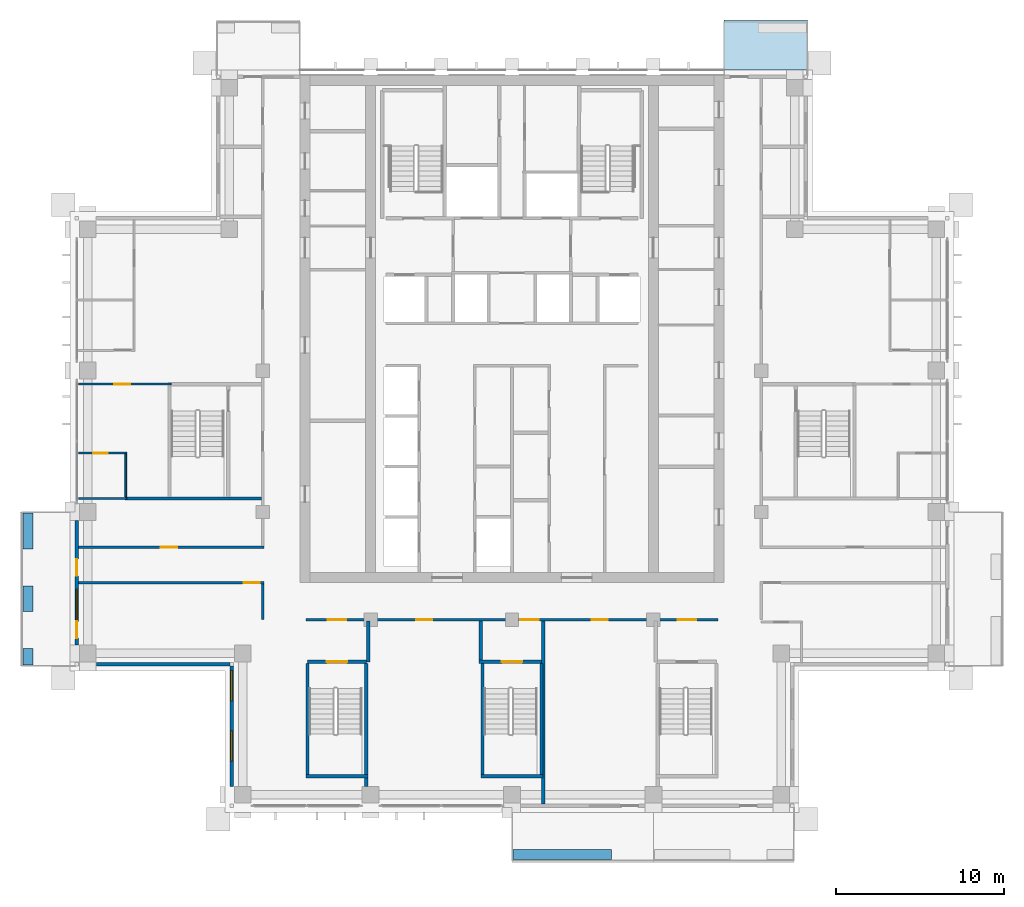
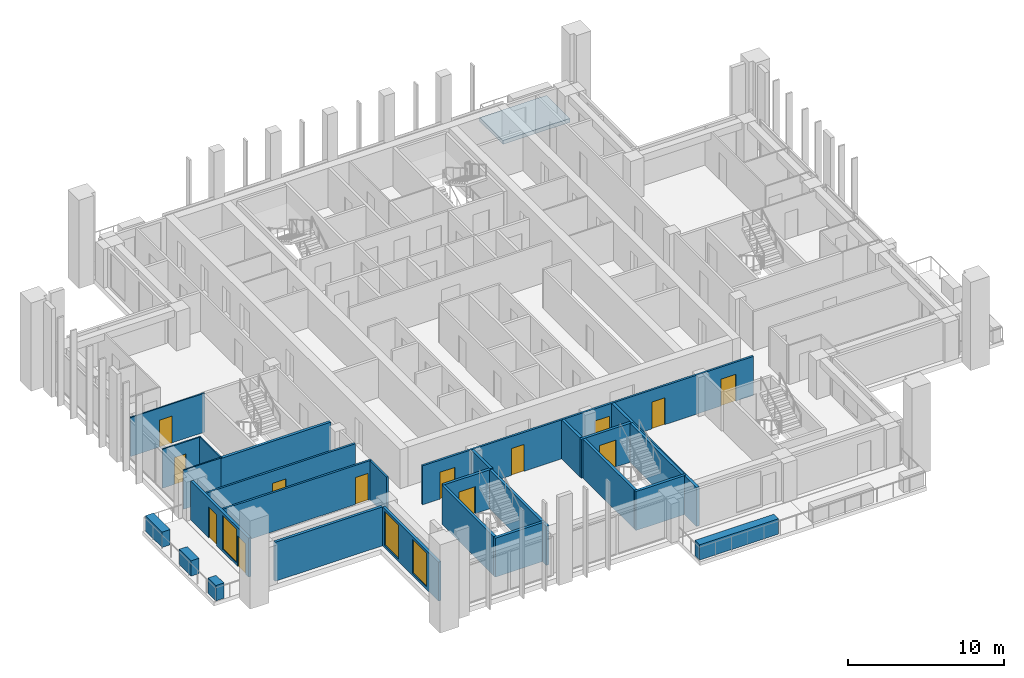
# One storey, part 8 of 18: 27 walls, 13 doors, 3 windows, 1 slab, 16 openings.
"""IFC4 building model written with IfcOpenShell, lengths in metres."""

from ifc_helpers import new_model, si_unit, direction, frame, frame_2d, origin, place, context, subcontext, project, spatial, polyline, rectangle, outline, extrude, material, layer, layer_set, type_object, element, fill, save


model = new_model("IFC4")

# Units and contexts
model_context = context("Model", 3, precision=1e-05, world=origin(), true_north=direction((0.0, 1.0)))
body_context = subcontext(model_context, "Body", "Model", "MODEL_VIEW")
ifc_project = project(units=[si_unit("LENGTHUNIT", "METRE"), si_unit("AREAUNIT", "SQUARE_METRE"), si_unit("VOLUMEUNIT", "CUBIC_METRE"), si_unit("PLANEANGLEUNIT", "RADIAN"), si_unit("MASSUNIT", "GRAM", prefix="KILO")], contexts=[model_context])

# Site, building, storey
site_placement = place(None, origin())
site = spatial("IfcSite", under=ifc_project, at=site_placement, CompositionType="ELEMENT")
building_placement = place(site_placement, origin())
building = spatial("IfcBuilding", under=site, at=building_placement, Name="Vermilion Ogive Tower", CompositionType="ELEMENT")
storey_placement = place(building_placement, frame((0.0, 0.0, 185.89990234375)))
storey = spatial("IfcBuildingStorey", under=building, at=storey_placement, Name="L48", CompositionType="ELEMENT", Elevation=185.89990234375)

# Slab
ifc_material_1 = material(Name="Concrete B40", Category="concrete")
ifc_layer_1 = layer(ifc_material_1, 0.300048828125)
ifc_layer_set_1 = layer_set([ifc_layer_1], Name="Balcony slab")
slab_type = type_object("IfcSlabType", Name="Balcony slab", PredefinedType="FLOOR", material=ifc_layer_set_1)
slab_placement = place(storey_placement, frame((0.0, 0.0, -0.33984375)))
element("IfcSlab", 1, at=slab_placement, inside=storey, type_object=slab_type, Name="Balcony slab N101", PredefinedType="FLOOR", context=body_context, shape_type="SweptSolid", body=[
    extrude(outline(polyline([(17.550048828125, 25.030029296875), (12.60009765625, 25.030029296875), (12.60009765625, 22.050048828125), (17.550048828125, 22.050048828125), (17.550048828125, 25.030029296875)])), origin(), (0.0, 0.0, 1.0), 0.300048828125),
])

# Wall
ifc_material_2 = material(Name="Gypsum board partition on steel studs", Category="steel")
ifc_layer_2 = layer(ifc_material_2, 0.10009765625)
ifc_layer_set_2 = layer_set([ifc_layer_2], Name="Partition 100 bath")
wall_type_1 = type_object("IfcWallType", Name="Partition 100 bath", PredefinedType="PARTITIONING", material=ifc_layer_set_2)
wall_1_placement = place(storey_placement, frame((-25.75, -3.39990234375, 0.0), z_axis=(0.0, 0.0, 1.0), x_axis=(1.0, 0.0, 0.0)))
element("IfcWall", 2, at=wall_1_placement, inside=storey, type_object=wall_type_1, Name="L48-W-W011", PredefinedType="PARTITIONING", context=body_context, shape_type="SweptSolid", body=[
    extrude(rectangle(XDim=2.85009765625, YDim=0.10009765625, at=frame_2d((1.425048828125, 0.0))), origin(), (0.0, 0.0, 1.0), 3.050048828125),
])

# Wall, opening, door
wall_2_placement = place(storey_placement, frame((-25.75, -0.699951171875, 0.0), z_axis=(0.0, 0.0, 1.0), x_axis=(1.0, 0.0, 0.0)))
wall_2 = element("IfcWall", 3, at=wall_2_placement, inside=storey, type_object=wall_type_1, Name="L48-W-W015", PredefinedType="PARTITIONING", context=body_context, shape_type="SweptSolid", body=[
    extrude(rectangle(XDim=2.85009765625, YDim=0.10009765625, at=frame_2d((1.425048828125, 0.0))), origin(), (0.0, 0.0, 1.0), 3.050048828125),
])
opening_1_placement = place(wall_2_placement, frame((0.875, 0.0, 0.0)))
opening_1 = element("IfcOpeningElement", 4, at=opening_1_placement, cuts=wall_2, Name="Opening D4G2006", PredefinedType="OPENING", context=body_context, shape_type="SweptSolid", body=[
    extrude(rectangle(XDim=0.85009765625, YDim=2.10009765625, at=frame_2d((0.425048828125, 1.050048828125))), frame((0.0, 0.06005859375, 0.0), z_axis=(0.0, -1.0, 0.0), x_axis=(1.0, 0.0, 0.0)), (0.0, 0.0, 1.0), 0.1201171875),
])
ifc_material_3 = material(Name="Timber door leaf", Category="wood")
door_type_1 = type_object("IfcDoorType", Name="Bath door 850 x 2100 FD30", OperationType="SINGLE_SWING_LEFT", PredefinedType="DOOR", material=ifc_material_3)
door_1_placement = place(opening_1_placement, origin())
door_1 = element("IfcDoor", 5, at=door_1_placement, inside=storey, type_object=door_type_1, Name="L48-D-D006", OperationType="SINGLE_SWING_RIGHT", OverallHeight=2.10009765625, OverallWidth=0.85009765625, PredefinedType="DOOR", context=body_context, shape_type="SweptSolid", body=[
    extrude(rectangle(XDim=0.85009765625, YDim=2.10009765625, at=frame_2d((0.425048828125, 1.050048828125))), frame((0.0, 0.02490234375, 0.0), z_axis=(0.0, -1.0, 0.0), x_axis=(1.0, 0.0, 0.0)), (0.0, 0.0, 1.0), 0.050048828125),
])
fill(opening_1, door_1)

# Wall
wall_3_placement = place(storey_placement, frame((-22.949951171875, -3.300048828125, 0.0), z_axis=(0.0, 0.0, 1.0), x_axis=(0.0, 1.0, 0.0)))
element("IfcWall", 6, at=wall_3_placement, inside=storey, type_object=wall_type_1, Name="L48-W-W029", PredefinedType="PARTITIONING", context=body_context, shape_type="SweptSolid", body=[
    extrude(rectangle(XDim=2.550048828125, YDim=0.10009765625, at=frame_2d((1.27490234375, 0.0))), origin(), (0.0, 0.0, 1.0), 3.050048828125),
])

# Wall, opening, door
ifc_material_4 = material(Name="Gypsum board partition on steel studs", Category="steel")
ifc_layer_3 = layer(ifc_material_4, 0.10009765625)
ifc_layer_set_3 = layer_set([ifc_layer_3], Name="Partition 100 inner")
wall_type_2 = type_object("IfcWallType", Name="Partition 100 inner", PredefinedType="PARTITIONING", material=ifc_layer_set_3)
wall_4_placement = place(storey_placement, frame((-25.75, 3.39990234375, 0.0), z_axis=(0.0, 0.0, 1.0), x_axis=(1.0, 0.0, 0.0)))
wall_4 = element("IfcWall", 7, at=wall_4_placement, inside=storey, type_object=wall_type_2, Name="L48-W-W017", PredefinedType="PARTITIONING", context=body_context, shape_type="SweptSolid", body=[
    extrude(rectangle(XDim=5.5, YDim=0.10009765625, at=frame_2d((2.75, 0.0))), origin(), (0.0, 0.0, 1.0), 3.050048828125),
])
opening_2_placement = place(wall_4_placement, frame((2.125, 0.0, 0.0)))
opening_2 = element("IfcOpeningElement", 8, at=opening_2_placement, cuts=wall_4, Name="Opening D4G2005", PredefinedType="OPENING", context=body_context, shape_type="SweptSolid", body=[
    extrude(rectangle(XDim=0.949951171875, YDim=2.10009765625, at=frame_2d((0.47509765625, 1.050048828125))), frame((0.0, 0.06005859375, 0.0), z_axis=(0.0, -1.0, 0.0), x_axis=(1.0, 0.0, 0.0)), (0.0, 0.0, 1.0), 0.1201171875),
])
ifc_material_5 = material(Name="Timber door leaf", Category="wood")
door_type_2 = type_object("IfcDoorType", Name="Inner door 950 x 2100 FD30", OperationType="SINGLE_SWING_LEFT", PredefinedType="DOOR", material=ifc_material_5)
door_2_placement = place(opening_2_placement, origin())
door_2 = element("IfcDoor", 9, at=door_2_placement, inside=storey, type_object=door_type_2, Name="L48-D-D005", OperationType="SINGLE_SWING_LEFT", OverallHeight=2.10009765625, OverallWidth=0.949951171875, PredefinedType="DOOR", context=body_context, shape_type="SweptSolid", body=[
    extrude(rectangle(XDim=0.949951171875, YDim=2.10009765625, at=frame_2d((0.47509765625, 1.050048828125))), frame((0.0, 0.02490234375, 0.0), z_axis=(0.0, -1.0, 0.0), x_axis=(1.0, 0.0, 0.0)), (0.0, 0.0, 1.0), 0.050048828125),
])
fill(opening_2, door_2)

# Wall, openings, doors
ifc_material_6 = material(Name="Gypsum board partition on steel studs", Category="steel")
ifc_layer_4 = layer(ifc_material_6, 0.14990234375)
ifc_layer_set_4 = layer_set([ifc_layer_4], Name="Partition 150 corridor")
wall_type_3 = type_object("IfcWallType", Name="Partition 150 corridor", PredefinedType="PARTITIONING", material=ifc_layer_set_4)
wall_5_placement = place(storey_placement, frame((-12.25, -10.60009765625, 0.0), z_axis=(0.0, 0.0, 1.0), x_axis=(1.0, 0.0, 0.0)))
wall_5 = element("IfcWall", 10, at=wall_5_placement, inside=storey, type_object=wall_type_3, Name="L48-W-W006", PredefinedType="PARTITIONING", context=body_context, shape_type="SweptSolid", body=[
    extrude(rectangle(XDim=24.5, YDim=0.14990234375, at=frame_2d((12.25, 0.0))), origin(), (0.0, 0.0, 1.0), 3.050048828125),
])
opening_3_placement = place(wall_5_placement, frame((6.574951171875, 0.0, 0.0)))
opening_3 = element("IfcOpeningElement", 11, at=opening_3_placement, cuts=wall_5, Name="Opening D4G2009", PredefinedType="OPENING", context=body_context, shape_type="SweptSolid", body=[
    extrude(rectangle(XDim=0.949951171875, YDim=2.10009765625, at=frame_2d((0.47509765625, 1.050048828125))), frame((0.0, 0.0849609375, 0.0), z_axis=(0.0, -1.0, 0.0), x_axis=(1.0, 0.0, 0.0)), (0.0, 0.0, 1.0), 0.169921875),
])
opening_4_placement = place(wall_5_placement, frame((16.97509765625, 0.0, 0.0)))
opening_4 = element("IfcOpeningElement", 12, at=opening_4_placement, cuts=wall_5, Name="Opening D4G2010", PredefinedType="OPENING", context=body_context, shape_type="SweptSolid", body=[
    extrude(rectangle(XDim=0.949951171875, YDim=2.10009765625, at=frame_2d((0.47509765625, 1.050048828125))), frame((0.0, 0.0849609375, 0.0), z_axis=(0.0, -1.0, 0.0), x_axis=(1.0, 0.0, 0.0)), (0.0, 0.0, 1.0), 0.169921875),
])
opening_5_placement = place(wall_5_placement, frame((1.300048828125, 0.0, 0.0)))
opening_5 = element("IfcOpeningElement", 13, at=opening_5_placement, cuts=wall_5, Name="Opening D4G2020", PredefinedType="OPENING", context=body_context, shape_type="SweptSolid", body=[
    extrude(rectangle(XDim=1.10009765625, YDim=2.10009765625, at=frame_2d((0.550048828125, 1.050048828125))), frame((0.0, 0.0849609375, 0.0), z_axis=(0.0, -1.0, 0.0), x_axis=(1.0, 0.0, 0.0)), (0.0, 0.0, 1.0), 0.169921875),
])
opening_6_placement = place(wall_5_placement, frame((12.75, 0.0, 0.0)))
opening_6 = element("IfcOpeningElement", 14, at=opening_6_placement, cuts=wall_5, Name="Opening D4G2022", PredefinedType="OPENING", context=body_context, shape_type="SweptSolid", body=[
    extrude(rectangle(XDim=1.10009765625, YDim=2.10009765625, at=frame_2d((0.550048828125, 1.050048828125))), frame((0.0, 0.0849609375, 0.0), z_axis=(0.0, -1.0, 0.0), x_axis=(1.0, 0.0, 0.0)), (0.0, 0.0, 1.0), 0.169921875),
])
opening_7_placement = place(wall_5_placement, frame((22.10009765625, 0.0, 0.0)))
opening_7 = element("IfcOpeningElement", 15, at=opening_7_placement, cuts=wall_5, Name="Opening D4G2024", PredefinedType="OPENING", context=body_context, shape_type="SweptSolid", body=[
    extrude(rectangle(XDim=1.10009765625, YDim=2.10009765625, at=frame_2d((0.550048828125, 1.050048828125))), frame((0.0, 0.0849609375, 0.0), z_axis=(0.0, -1.0, 0.0), x_axis=(1.0, 0.0, 0.0)), (0.0, 0.0, 1.0), 0.169921875),
])
ifc_material_7 = material(Name="Timber door leaf", Category="wood")
door_type_3 = type_object("IfcDoorType", Name="Stair door 1100 x 2100 FD60S", OperationType="SINGLE_SWING_LEFT", PredefinedType="DOOR", material=ifc_material_7)
door_3_placement = place(opening_5_placement, origin())
door_3 = element("IfcDoor", 16, at=door_3_placement, inside=storey, type_object=door_type_3, Name="L48-D-D020", OperationType="SINGLE_SWING_RIGHT", OverallHeight=2.10009765625, OverallWidth=1.10009765625, PredefinedType="DOOR", context=body_context, shape_type="SweptSolid", body=[
    extrude(rectangle(XDim=1.10009765625, YDim=2.10009765625, at=frame_2d((0.550048828125, 1.050048828125))), frame((0.0, 0.02490234375, 0.0), z_axis=(0.0, -1.0, 0.0), x_axis=(1.0, 0.0, 0.0)), (0.0, 0.0, 1.0), 0.050048828125),
])
fill(opening_5, door_3)
door_4_placement = place(opening_6_placement, origin())
door_4 = element("IfcDoor", 17, at=door_4_placement, inside=storey, type_object=door_type_3, Name="L48-D-D022", OperationType="SINGLE_SWING_LEFT", OverallHeight=2.10009765625, OverallWidth=1.10009765625, PredefinedType="DOOR", context=body_context, shape_type="SweptSolid", body=[
    extrude(rectangle(XDim=1.10009765625, YDim=2.10009765625, at=frame_2d((0.550048828125, 1.050048828125))), frame((0.0, 0.02490234375, 0.0), z_axis=(0.0, -1.0, 0.0), x_axis=(1.0, 0.0, 0.0)), (0.0, 0.0, 1.0), 0.050048828125),
])
fill(opening_6, door_4)
door_5_placement = place(opening_7_placement, origin())
door_5 = element("IfcDoor", 18, at=door_5_placement, inside=storey, type_object=door_type_3, Name="L48-D-D024", OperationType="SINGLE_SWING_LEFT", OverallHeight=2.10009765625, OverallWidth=1.10009765625, PredefinedType="DOOR", context=body_context, shape_type="SweptSolid", body=[
    extrude(rectangle(XDim=1.10009765625, YDim=2.10009765625, at=frame_2d((0.550048828125, 1.050048828125))), frame((0.0, 0.02490234375, 0.0), z_axis=(0.0, -1.0, 0.0), x_axis=(1.0, 0.0, 0.0)), (0.0, 0.0, 1.0), 0.050048828125),
])
fill(opening_7, door_5)
ifc_material_8 = material(Name="Timber door leaf", Category="wood")
door_type_4 = type_object("IfcDoorType", Name="Unit door 950 x 2100 FD30S", OperationType="SINGLE_SWING_LEFT", PredefinedType="DOOR", material=ifc_material_8)
door_6_placement = place(opening_3_placement, origin())
door_6 = element("IfcDoor", 19, at=door_6_placement, inside=storey, type_object=door_type_4, Name="L48-D-D009", OperationType="SINGLE_SWING_RIGHT", OverallHeight=2.10009765625, OverallWidth=0.949951171875, PredefinedType="DOOR", context=body_context, shape_type="SweptSolid", body=[
    extrude(rectangle(XDim=0.949951171875, YDim=2.10009765625, at=frame_2d((0.47509765625, 1.050048828125))), frame((0.0, 0.02490234375, 0.0), z_axis=(0.0, -1.0, 0.0), x_axis=(1.0, 0.0, 0.0)), (0.0, 0.0, 1.0), 0.050048828125),
])
fill(opening_3, door_6)
door_7_placement = place(opening_4_placement, origin())
door_7 = element("IfcDoor", 20, at=door_7_placement, inside=storey, type_object=door_type_4, Name="L48-D-D010", OperationType="SINGLE_SWING_RIGHT", OverallHeight=2.10009765625, OverallWidth=0.949951171875, PredefinedType="DOOR", context=body_context, shape_type="SweptSolid", body=[
    extrude(rectangle(XDim=0.949951171875, YDim=2.10009765625, at=frame_2d((0.47509765625, 1.050048828125))), frame((0.0, 0.02490234375, 0.0), z_axis=(0.0, -1.0, 0.0), x_axis=(1.0, 0.0, 0.0)), (0.0, 0.0, 1.0), 0.050048828125),
])
fill(opening_4, door_7)

# Wall, opening, door
wall_6_placement = place(storey_placement, frame((-25.75, -8.39990234375, 0.0), z_axis=(0.0, 0.0, 1.0), x_axis=(1.0, 0.0, 0.0)))
wall_6 = element("IfcWall", 21, at=wall_6_placement, inside=storey, type_object=wall_type_3, Name="L48-W-W007", PredefinedType="PARTITIONING", context=body_context, shape_type="SweptSolid", body=[
    extrude(rectangle(XDim=11.02490234375, YDim=0.14990234375, at=frame_2d((5.512451171875, 0.0))), origin(), (0.0, 0.0, 1.0), 3.050048828125),
])
opening_8_placement = place(wall_6_placement, frame((9.800048828125, 0.0, 0.0)))
opening_8 = element("IfcOpeningElement", 22, at=opening_8_placement, cuts=wall_6, Name="Opening D4G2001", PredefinedType="OPENING", context=body_context, shape_type="SweptSolid", body=[
    extrude(rectangle(XDim=0.949951171875, YDim=2.10009765625, at=frame_2d((0.47509765625, 1.050048828125))), frame((0.0, 0.0849609375, 0.0), z_axis=(0.0, -1.0, 0.0), x_axis=(1.0, 0.0, 0.0)), (0.0, 0.0, 1.0), 0.169921875),
])
door_8_placement = place(opening_8_placement, origin())
door_8 = element("IfcDoor", 23, at=door_8_placement, inside=storey, type_object=door_type_4, Name="L48-D-D001", OperationType="SINGLE_SWING_RIGHT", OverallHeight=2.10009765625, OverallWidth=0.949951171875, PredefinedType="DOOR", context=body_context, shape_type="SweptSolid", body=[
    extrude(rectangle(XDim=0.949951171875, YDim=2.10009765625, at=frame_2d((0.47509765625, 1.050048828125))), frame((0.0, 0.02490234375, 0.0), z_axis=(0.0, -1.0, 0.0), x_axis=(1.0, 0.0, 0.0)), (0.0, 0.0, 1.0), 0.050048828125),
])
fill(opening_8, door_8)

wall_7_placement = place(storey_placement, frame((-25.75, -6.300048828125, 0.0), z_axis=(0.0, 0.0, 1.0), x_axis=(1.0, 0.0, 0.0)))
wall_7 = element("IfcWall", 24, at=wall_7_placement, inside=storey, type_object=wall_type_3, Name="L48-W-W009", PredefinedType="PARTITIONING", context=body_context, shape_type="SweptSolid", body=[
    extrude(rectangle(XDim=11.02490234375, YDim=0.14990234375, at=frame_2d((5.512451171875, 0.0))), origin(), (0.0, 0.0, 1.0), 3.050048828125),
])
opening_9_placement = place(wall_7_placement, frame((4.875, 0.0, 0.0)))
opening_9 = element("IfcOpeningElement", 25, at=opening_9_placement, cuts=wall_7, Name="Opening D4G2030", PredefinedType="OPENING", context=body_context, shape_type="SweptSolid", body=[
    extrude(rectangle(XDim=1.0, YDim=2.10009765625, at=frame_2d((0.5, 1.050048828125))), frame((0.0, 0.0849609375, 0.0), z_axis=(0.0, -1.0, 0.0), x_axis=(1.0, 0.0, 0.0)), (0.0, 0.0, 1.0), 0.169921875),
])
ifc_material_9 = material(Name="Timber door leaf", Category="wood")
door_type_5 = type_object("IfcDoorType", Name="Unit door 1000 x 2100 FD30S", OperationType="SINGLE_SWING_LEFT", PredefinedType="DOOR", material=ifc_material_9)
door_9_placement = place(opening_9_placement, origin())
door_9 = element("IfcDoor", 26, at=door_9_placement, inside=storey, type_object=door_type_5, Name="L48-D-D030", OperationType="SINGLE_SWING_RIGHT", OverallHeight=2.10009765625, OverallWidth=1.0, PredefinedType="DOOR", context=body_context, shape_type="SweptSolid", body=[
    extrude(rectangle(XDim=1.0, YDim=2.10009765625, at=frame_2d((0.5, 1.050048828125))), frame((0.0, 0.02490234375, 0.0), z_axis=(0.0, -1.0, 0.0), x_axis=(1.0, 0.0, 0.0)), (0.0, 0.0, 1.0), 0.050048828125),
])
fill(opening_9, door_9)

# Walls
wall_8_placement = place(storey_placement, frame((-14.800048828125, -10.60009765625, 0.0), z_axis=(0.0, 0.0, 1.0), x_axis=(0.0, 1.0, 0.0)))
element("IfcWall", 27, at=wall_8_placement, inside=storey, type_object=wall_type_3, Name="L48-W-W033", PredefinedType="PARTITIONING", context=body_context, shape_type="SweptSolid", body=[
    extrude(rectangle(XDim=2.125, YDim=0.14990234375, at=frame_2d((1.0625, 0.0))), origin(), (0.0, 0.0, 1.0), 3.050048828125),
])
ifc_material_10 = material(Name="Gypsum board partition on steel studs", Category="steel")
ifc_layer_5 = layer(ifc_material_10, 0.199951171875)
ifc_layer_set_5 = layer_set([ifc_layer_5], Name="Partition 200 party")
wall_type_4 = type_object("IfcWallType", Name="Partition 200 party", PredefinedType="PARTITIONING", material=ifc_layer_set_5)
wall_9_placement = place(storey_placement, frame((-8.550048828125, -13.10009765625, 0.0), z_axis=(0.0, 0.0, 1.0), x_axis=(0.0, 1.0, 0.0)))
element("IfcWall", 28, at=wall_9_placement, inside=storey, type_object=wall_type_4, Name="L48-W-W035", PredefinedType="PARTITIONING", context=body_context, shape_type="SweptSolid", body=[
    extrude(rectangle(XDim=2.425048828125, YDim=0.199951171875, at=frame_2d((1.21240234375, 0.0))), origin(), (0.0, 0.0, 1.0), 3.050048828125),
])
wall_10_placement = place(storey_placement, frame((-1.85009765625, -12.998046875, 0.0), z_axis=(0.0, 0.0, 1.0), x_axis=(0.0, 1.0, 0.0)))
element("IfcWall", 29, at=wall_10_placement, inside=storey, type_object=wall_type_4, Name="L48-W-W036", PredefinedType="PARTITIONING", context=body_context, shape_type="SweptSolid", body=[
    extrude(rectangle(XDim=2.322998046875, YDim=0.199951171875, at=frame_2d((1.16162109375, 0.0))), origin(), (0.0, 0.0, 1.0), 3.050048828125),
])
ifc_material_11 = material(Name="Concrete B60", Category="concrete")
ifc_layer_6 = layer(ifc_material_11, 0.199951171875)
ifc_layer_set_6 = layer_set([ifc_layer_6], Name="Stair shaft wall 200 Concrete B60")
wall_type_5 = type_object("IfcWallType", Name="Stair shaft wall 200 Concrete B60", PredefinedType="SOLIDWALL", material=ifc_layer_set_6)
wall_11_placement = place(storey_placement, frame((-1.847900390625, -19.89990234375, 0.0), z_axis=(0.0, 0.0, 1.0), x_axis=(1.0, 0.0, 0.0)))
element("IfcWall", 30, at=wall_11_placement, inside=storey, type_object=wall_type_5, Name="L48-W-W001", PredefinedType="SOLIDWALL", context=body_context, shape_type="SweptSolid", body=[
    extrude(rectangle(XDim=3.69580078125, YDim=0.199951171875, at=frame_2d((1.847900390625, 0.0))), origin(), (0.0, 0.0, 1.0), 3.050048828125),
])

# Wall, opening, door
wall_12_placement = place(storey_placement, frame((-12.14990234375, -13.10009765625, 0.0), z_axis=(0.0, 0.0, 1.0), x_axis=(1.0, 0.0, 0.0)))
wall_12 = element("IfcWall", 31, at=wall_12_placement, inside=storey, type_object=wall_type_5, Name="L48-W-W002", PredefinedType="SOLIDWALL", context=body_context, shape_type="SweptSolid", body=[
    extrude(rectangle(XDim=3.5, YDim=0.199951171875, at=frame_2d((1.75, 0.0))), origin(), (0.0, 0.0, 1.0), 3.050048828125),
])
opening_10_placement = place(wall_12_placement, frame((1.14990234375, 0.0, 0.0)))
opening_10 = element("IfcOpeningElement", 32, at=opening_10_placement, cuts=wall_12, Name="Opening D4G2021", PredefinedType="OPENING", context=body_context, shape_type="SweptSolid", body=[
    extrude(rectangle(XDim=1.199951171875, YDim=2.10009765625, at=frame_2d((0.60009765625, 1.050048828125))), frame((0.0, 0.10986328125, 0.0), z_axis=(0.0, -1.0, 0.0), x_axis=(1.0, 0.0, 0.0)), (0.0, 0.0, 1.0), 0.219970703125),
])
ifc_material_12 = material(Name="Timber door leaf", Category="wood")
door_type_6 = type_object("IfcDoorType", Name="Stair door 1200 x 2100 FD60S", OperationType="SINGLE_SWING_LEFT", PredefinedType="DOOR", material=ifc_material_12)
door_10_placement = place(opening_10_placement, origin())
door_10 = element("IfcDoor", 33, at=door_10_placement, inside=storey, type_object=door_type_6, Name="L48-D-D021", OperationType="SINGLE_SWING_RIGHT", OverallHeight=2.10009765625, OverallWidth=1.199951171875, PredefinedType="DOOR", context=body_context, shape_type="SweptSolid", body=[
    extrude(rectangle(XDim=1.199951171875, YDim=2.10009765625, at=frame_2d((0.60009765625, 1.050048828125))), frame((0.0, 0.02490234375, 0.0), z_axis=(0.0, -1.0, 0.0), x_axis=(1.0, 0.0, 0.0)), (0.0, 0.0, 1.0), 0.050048828125),
])
fill(opening_10, door_10)

wall_13_placement = place(storey_placement, frame((-1.947998046875, -13.10009765625, 0.0), z_axis=(0.0, 0.0, 1.0), x_axis=(1.0, 0.0, 0.0)))
wall_13 = element("IfcWall", 34, at=wall_13_placement, inside=storey, type_object=wall_type_5, Name="L48-W-W003", PredefinedType="SOLIDWALL", context=body_context, shape_type="SweptSolid", body=[
    extrude(rectangle(XDim=3.696044921875, YDim=0.199951171875, at=frame_2d((1.84814453125, 0.0))), origin(), (0.0, 0.0, 1.0), 3.050048828125),
])
opening_11_placement = place(wall_13_placement, frame((1.347900390625, 0.0, 0.0)))
opening_11 = element("IfcOpeningElement", 35, at=opening_11_placement, cuts=wall_13, Name="Opening D4G2023", PredefinedType="OPENING", context=body_context, shape_type="SweptSolid", body=[
    extrude(rectangle(XDim=1.199951171875, YDim=2.10009765625, at=frame_2d((0.60009765625, 1.050048828125))), frame((0.0, 0.10986328125, 0.0), z_axis=(0.0, -1.0, 0.0), x_axis=(1.0, 0.0, 0.0)), (0.0, 0.0, 1.0), 0.219970703125),
])
door_11_placement = place(opening_11_placement, origin())
door_11 = element("IfcDoor", 36, at=door_11_placement, inside=storey, type_object=door_type_6, Name="L48-D-D023", OperationType="SINGLE_SWING_RIGHT", OverallHeight=2.10009765625, OverallWidth=1.199951171875, PredefinedType="DOOR", context=body_context, shape_type="SweptSolid", body=[
    extrude(rectangle(XDim=1.199951171875, YDim=2.10009765625, at=frame_2d((0.60009765625, 1.050048828125))), frame((0.0, 0.02490234375, 0.0), z_axis=(0.0, -1.0, 0.0), x_axis=(1.0, 0.0, 0.0)), (0.0, 0.0, 1.0), 0.050048828125),
])
fill(opening_11, door_11)

# Walls
wall_14_placement = place(storey_placement, frame((-23.0, -3.39990234375, 0.0), z_axis=(0.0, 0.0, 1.0), x_axis=(1.0, 0.0, 0.0)))
element("IfcWall", 37, at=wall_14_placement, inside=storey, type_object=wall_type_5, Name="L48-W-W012", PredefinedType="SOLIDWALL", context=body_context, shape_type="SweptSolid", body=[
    extrude(rectangle(XDim=8.125, YDim=0.199951171875, at=frame_2d((4.0625, 0.0))), origin(), (0.0, 0.0, 1.0), 3.050048828125),
])
for number, where, z_axis, x_axis, name in (
    (38, (-1.75, -19.798095703125, 0.0), (0.0, 0.0, 1.0), (0.0, 1.0, 0.0), "L48-W-W037"),
    (39, (1.75, -19.798095703125, 0.0), (0.0, 0.0, 1.0), (0.0, 1.0, 0.0), "L48-W-W038"),
):
    element("IfcWall", number, at=place(storey_placement, frame(where, z_axis=z_axis, x_axis=x_axis)), inside=storey, type_object=wall_type_5, Name=name, PredefinedType="SOLIDWALL", context=body_context, shape_type="SweptSolid", body=[
        extrude(rectangle(XDim=6.59619140625, YDim=0.199951171875, at=frame_2d((3.298095703125, 0.0))), origin(), (0.0, 0.0, 1.0), 3.050048828125),
    ])
wall_15_placement = place(storey_placement, frame((-12.25, -19.89990234375, 0.0), z_axis=(0.0, 0.0, 1.0), x_axis=(1.0, 0.0, 0.0)))
element("IfcWall", 40, at=wall_15_placement, inside=storey, type_object=wall_type_5, Name="L48-SW-ST3-S1", PredefinedType="SOLIDWALL", context=body_context, shape_type="SweptSolid", body=[
    extrude(rectangle(XDim=3.699951171875, YDim=0.199951171875, at=frame_2d((1.85009765625, 0.0))), origin(), (0.0, 0.0, 1.0), 3.050048828125),
])
wall_16_placement = place(storey_placement, frame((-12.14990234375, -19.800048828125, 0.0), z_axis=(0.0, 0.0, 1.0), x_axis=(0.0, 1.0, 0.0)))
element("IfcWall", 41, at=wall_16_placement, inside=storey, type_object=wall_type_5, Name="L48-SW-ST3-W1", PredefinedType="SOLIDWALL", context=body_context, shape_type="SweptSolid", body=[
    extrude(rectangle(XDim=6.60009765625, YDim=0.199951171875, at=frame_2d((3.300048828125, 0.0))), origin(), (0.0, 0.0, 1.0), 3.050048828125),
])
wall_17_placement = place(storey_placement, frame((-8.64990234375, -20.5, 0.0), z_axis=(0.0, 0.0, 1.0), x_axis=(0.0, 1.0, 0.0)))
element("IfcWall", 42, at=wall_17_placement, inside=storey, type_object=wall_type_5, Name="L48-SW-ST3-E1", PredefinedType="SOLIDWALL", context=body_context, shape_type="SweptSolid", body=[
    extrude(rectangle(XDim=7.300048828125, YDim=0.199951171875, at=frame_2d((3.64990234375, 0.0))), origin(), (0.0, 0.0, 1.0), 3.050048828125),
])
wall_18_placement = place(storey_placement, frame((1.85009765625, -21.550048828125, 0.0), z_axis=(0.0, 0.0, 1.0), x_axis=(0.0, 1.0, 0.0)))
element("IfcWall", 43, at=wall_18_placement, inside=storey, type_object=wall_type_5, Name="L48-W-W039-A", PredefinedType="SOLIDWALL", context=body_context, shape_type="SweptSolid", body=[
    extrude(rectangle(XDim=10.875, YDim=0.199951171875, at=frame_2d((5.4375, 0.0))), origin(), (0.0, 0.0, 1.0), 3.050048828125),
])
ifc_material_13 = material(Name="Concrete B40", Category="concrete")
ifc_layer_7 = layer(ifc_material_13, 0.60009765625)
ifc_layer_set_7 = layer_set([ifc_layer_7], Name="Structural planter")
wall_type_6 = type_object("IfcWallType", Name="Structural planter", PredefinedType="USERDEFINED", material=ifc_layer_set_7)
wall_19_placement = place(storey_placement, frame((0.06005859375, -24.550048828125, -0.039794921875), z_axis=(0.0, 0.0, 1.0), x_axis=(1.0, 0.0, 0.0)))
element("IfcWall", 44, at=wall_19_placement, inside=storey, type_object=wall_type_6, Name="Planter S03A1", ObjectType="PLANTER", PredefinedType="USERDEFINED", context=body_context, shape_type="SweptSolid", body=[
    extrude(rectangle(XDim=5.83984375, YDim=0.60009765625, at=frame_2d((2.919921875, 0.0))), origin(), (0.0, 0.0, 1.0), 1.199951171875),
])
wall_20_placement = place(storey_placement, frame((-28.75, -4.260009765625, -0.039794921875), z_axis=(0.0, 0.0, 1.0), x_axis=(0.0, -1.0, 0.0)))
element("IfcWall", 45, at=wall_20_placement, inside=storey, type_object=wall_type_6, Name="Planter W03A1", ObjectType="PLANTER", PredefinedType="USERDEFINED", context=body_context, shape_type="SweptSolid", body=[
    extrude(rectangle(XDim=2.139892578125, YDim=0.60009765625, at=frame_2d((1.06982421875, 0.0))), origin(), (0.0, 0.0, 1.0), 1.199951171875),
])
wall_21_placement = place(storey_placement, frame((-28.75, -8.60009765625, -0.039794921875), z_axis=(0.0, 0.0, 1.0), x_axis=(0.0, -1.0, 0.0)))
element("IfcWall", 46, at=wall_21_placement, inside=storey, type_object=wall_type_6, Name="Planter W03A2", ObjectType="PLANTER", PredefinedType="USERDEFINED", context=body_context, shape_type="SweptSolid", body=[
    extrude(rectangle(XDim=1.5, YDim=0.60009765625, at=frame_2d((0.75, 0.0))), origin(), (0.0, 0.0, 1.0), 1.199951171875),
])
wall_22_placement = place(storey_placement, frame((-28.75, -12.300048828125, -0.039794921875), z_axis=(0.0, 0.0, 1.0), x_axis=(0.0, -1.0, 0.0)))
element("IfcWall", 47, at=wall_22_placement, inside=storey, type_object=wall_type_6, Name="Planter W03A3", ObjectType="PLANTER", PredefinedType="USERDEFINED", context=body_context, shape_type="SweptSolid", body=[
    extrude(rectangle(XDim=0.989990234375, YDim=0.60009765625, at=frame_2d((0.4951171875, 0.0))), origin(), (0.0, 0.0, 1.0), 1.199951171875),
])

# Wall, openings, doors, window
ifc_material_14 = material(Name="Aluminium window wall framing", Category="aluminium")
ifc_layer_8 = layer(ifc_material_14, 0.199951171875)
ifc_layer_set_8 = layer_set([ifc_layer_8], Name="Window wall")
wall_type_7 = type_object("IfcWallType", Name="Window wall", PredefinedType="STANDARD", material=ifc_layer_set_8)
wall_23_placement = place(storey_placement, frame((-25.85009765625, -4.699951171875, 0.0), z_axis=(0.0, 0.0, 1.0), x_axis=(0.0, -1.0, 0.0)))
wall_23 = element("IfcWall", 48, at=wall_23_placement, inside=storey, type_object=wall_type_7, Name="Window wall W3", PredefinedType="STANDARD", context=body_context, shape_type="SweptSolid", body=[
    extrude(rectangle(XDim=7.400146484375, YDim=0.199951171875, at=frame_2d((3.7001953125, 0.0))), origin(), (0.0, 0.0, 1.0), 3.050048828125),
])
opening_12_placement = place(wall_23_placement, frame((4.10009765625, 0.0, 0.199951171875)))
opening_12 = element("IfcOpeningElement", 49, at=opening_12_placement, cuts=wall_23, Name="Opening W1-W97", PredefinedType="OPENING", context=body_context, shape_type="SweptSolid", body=[
    extrude(rectangle(XDim=1.800048828125, YDim=2.64990234375, at=frame_2d((0.89990234375, 1.324951171875))), frame((0.0, 0.10986328125, 0.0), z_axis=(0.0, -1.0, 0.0), x_axis=(1.0, 0.0, 0.0)), (0.0, 0.0, 1.0), 0.219970703125),
])
opening_13_placement = place(wall_23_placement, frame((6.0, 0.0, 0.0)))
opening_13 = element("IfcOpeningElement", 50, at=opening_13_placement, cuts=wall_23, Name="Opening D1-W97", PredefinedType="OPENING", context=body_context, shape_type="SweptSolid", body=[
    extrude(rectangle(XDim=1.0, YDim=2.39990234375, at=frame_2d((0.5, 1.199951171875))), frame((0.0, 0.10986328125, 0.0), z_axis=(0.0, -1.0, 0.0), x_axis=(1.0, 0.0, 0.0)), (0.0, 0.0, 1.0), 0.219970703125),
])
opening_14_placement = place(wall_23_placement, frame((2.300048828125, 0.0, 0.0)))
opening_14 = element("IfcOpeningElement", 51, at=opening_14_placement, cuts=wall_23, Name="Opening D1-W98", PredefinedType="OPENING", context=body_context, shape_type="SweptSolid", body=[
    extrude(rectangle(XDim=1.0, YDim=2.39990234375, at=frame_2d((0.5, 1.199951171875))), frame((0.0, 0.10986328125, 0.0), z_axis=(0.0, -1.0, 0.0), x_axis=(1.0, 0.0, 0.0)), (0.0, 0.0, 1.0), 0.219970703125),
])
ifc_material_15 = material(Name="Aluminium framed glazed door", Category="aluminium")
door_type_7 = type_object("IfcDoorType", Name="Balcony door D1", OperationType="SINGLE_SWING_LEFT", PredefinedType="DOOR", material=ifc_material_15)
door_12_placement = place(opening_13_placement, origin())
door_12 = element("IfcDoor", 52, at=door_12_placement, inside=storey, type_object=door_type_7, Name="Balcony door W97", OperationType="SINGLE_SWING_LEFT", OverallHeight=2.39990234375, OverallWidth=1.0, PredefinedType="DOOR", context=body_context, shape_type="SweptSolid", body=[
    extrude(rectangle(XDim=1.0, YDim=2.39990234375, at=frame_2d((0.5, 1.199951171875))), frame((0.0, 0.02490234375, 0.0), z_axis=(0.0, -1.0, 0.0), x_axis=(1.0, 0.0, 0.0)), (0.0, 0.0, 1.0), 0.050048828125),
])
fill(opening_13, door_12)
door_13_placement = place(opening_14_placement, origin())
door_13 = element("IfcDoor", 53, at=door_13_placement, inside=storey, type_object=door_type_7, Name="Balcony door W98", OperationType="SINGLE_SWING_LEFT", OverallHeight=2.39990234375, OverallWidth=1.0, PredefinedType="DOOR", context=body_context, shape_type="SweptSolid", body=[
    extrude(rectangle(XDim=1.0, YDim=2.39990234375, at=frame_2d((0.5, 1.199951171875))), frame((0.0, 0.02490234375, 0.0), z_axis=(0.0, -1.0, 0.0), x_axis=(1.0, 0.0, 0.0)), (0.0, 0.0, 1.0), 0.050048828125),
])
fill(opening_14, door_13)
ifc_material_16 = material(Name="Aluminium framed double glazing", Category="aluminium")
window_type = type_object("IfcWindowType", Name="Guest window W1", PartitioningType="SINGLE_PANEL", PredefinedType="WINDOW", material=ifc_material_16)
window_1_placement = place(opening_12_placement, origin())
window_1 = element("IfcWindow", 54, at=window_1_placement, inside=storey, type_object=window_type, Name="Window W97", OverallHeight=2.64990234375, OverallWidth=1.800048828125, PartitioningType="SINGLE_PANEL", PredefinedType="WINDOW", context=body_context, shape_type="SweptSolid", body=[
    extrude(rectangle(XDim=1.800048828125, YDim=2.64990234375, at=frame_2d((0.89990234375, 1.324951171875))), frame((0.0, 0.030029296875, 0.0), z_axis=(0.0, -1.0, 0.0), x_axis=(1.0, 0.0, 0.0)), (0.0, 0.0, 1.0), 0.06005859375),
])
fill(opening_12, window_1)

# Wall
wall_24_placement = place(storey_placement, frame((-24.699951171875, -13.25, 0.0), z_axis=(0.0, 0.0, 1.0), x_axis=(1.0, 0.0, 0.0)))
element("IfcWall", 55, at=wall_24_placement, inside=storey, type_object=wall_type_7, Name="Window wall X71", PredefinedType="STANDARD", context=body_context, shape_type="SweptSolid", body=[
    extrude(rectangle(XDim=7.949951171875, YDim=0.199951171875, at=frame_2d((3.97509765625, 0.0))), origin(), (0.0, 0.0, 1.0), 3.050048828125),
])

# Wall, openings, windows
wall_25_placement = place(storey_placement, frame((-16.64990234375, -13.35009765625, 0.0), z_axis=(0.0, 0.0, 1.0), x_axis=(0.0, -1.0, 0.0)))
wall_25 = element("IfcWall", 56, at=wall_25_placement, inside=storey, type_object=wall_type_7, Name="Window wall X81", PredefinedType="STANDARD", context=body_context, shape_type="SweptSolid", body=[
    extrude(rectangle(XDim=7.14990234375, YDim=0.199951171875, at=frame_2d((3.574951171875, 0.0))), origin(), (0.0, 0.0, 1.0), 3.050048828125),
])
opening_15_placement = place(wall_25_placement, frame((3.85009765625, 0.0, 0.199951171875)))
opening_15 = element("IfcOpeningElement", 57, at=opening_15_placement, cuts=wall_25, Name="Opening W1-X895", PredefinedType="OPENING", context=body_context, shape_type="SweptSolid", body=[
    extrude(rectangle(XDim=1.800048828125, YDim=2.64990234375, at=frame_2d((0.89990234375, 1.324951171875))), frame((0.0, 0.10986328125, 0.0), z_axis=(0.0, -1.0, 0.0), x_axis=(1.0, 0.0, 0.0)), (0.0, 0.0, 1.0), 0.219970703125),
])
opening_16_placement = place(wall_25_placement, frame((0.27490234375, 0.0, 0.199951171875)))
opening_16 = element("IfcOpeningElement", 58, at=opening_16_placement, cuts=wall_25, Name="Opening W1-X896", PredefinedType="OPENING", context=body_context, shape_type="SweptSolid", body=[
    extrude(rectangle(XDim=1.800048828125, YDim=2.64990234375, at=frame_2d((0.89990234375, 1.324951171875))), frame((0.0, 0.10986328125, 0.0), z_axis=(0.0, -1.0, 0.0), x_axis=(1.0, 0.0, 0.0)), (0.0, 0.0, 1.0), 0.219970703125),
])
window_2_placement = place(opening_15_placement, origin())
window_2 = element("IfcWindow", 59, at=window_2_placement, inside=storey, type_object=window_type, Name="Window X895", OverallHeight=2.64990234375, OverallWidth=1.800048828125, PartitioningType="SINGLE_PANEL", PredefinedType="WINDOW", context=body_context, shape_type="SweptSolid", body=[
    extrude(rectangle(XDim=1.800048828125, YDim=2.64990234375, at=frame_2d((0.89990234375, 1.324951171875))), frame((0.0, 0.030029296875, 0.0), z_axis=(0.0, -1.0, 0.0), x_axis=(1.0, 0.0, 0.0)), (0.0, 0.0, 1.0), 0.06005859375),
])
fill(opening_15, window_2)
window_3_placement = place(opening_16_placement, origin())
window_3 = element("IfcWindow", 60, at=window_3_placement, inside=storey, type_object=window_type, Name="Window X896", OverallHeight=2.64990234375, OverallWidth=1.800048828125, PartitioningType="SINGLE_PANEL", PredefinedType="WINDOW", context=body_context, shape_type="SweptSolid", body=[
    extrude(rectangle(XDim=1.800048828125, YDim=2.64990234375, at=frame_2d((0.89990234375, 1.324951171875))), frame((0.0, 0.030029296875, 0.0), z_axis=(0.0, -1.0, 0.0), x_axis=(1.0, 0.0, 0.0)), (0.0, 0.0, 1.0), 0.06005859375),
])
fill(opening_16, window_3)

save(model, "model.ifc")
